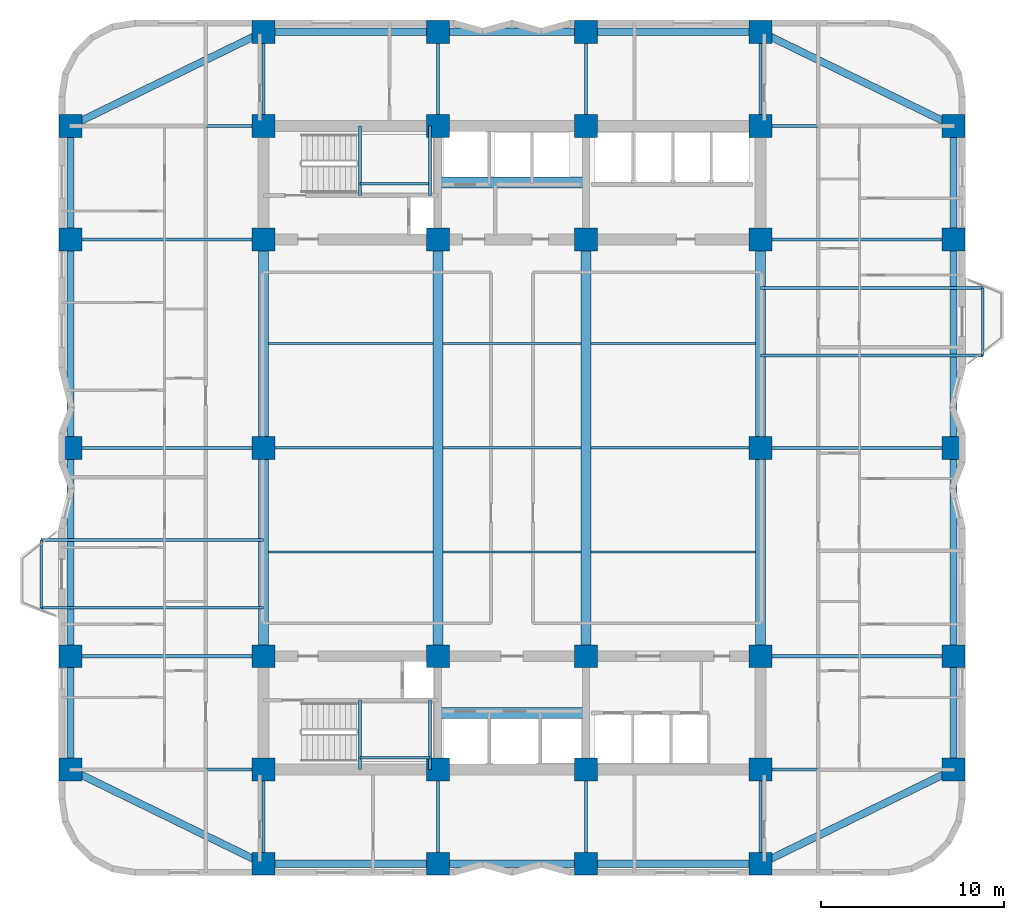
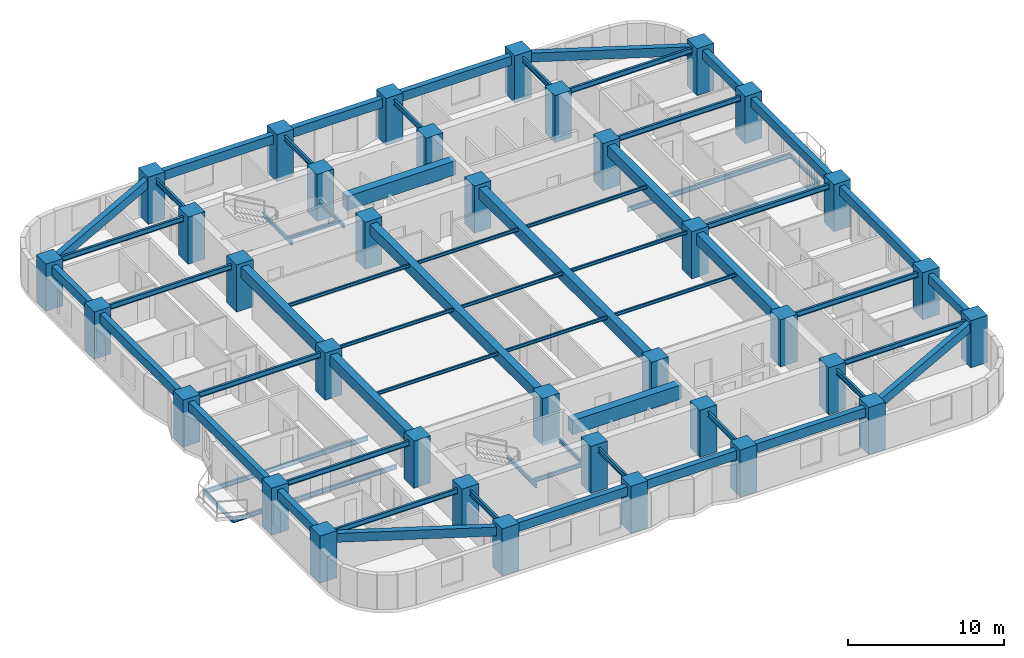
# One storey, part 1 of 9: 65 beams, 36 columns.
"""IFC4 building model written with IfcOpenShell, lengths in metres."""

from ifc_helpers import new_model, si_unit, direction, frame, origin, origin_2d, place, context, subcontext, project, spatial, rectangle, i_section, extrude, material, material_profile, profile_set, type_object, element, save


model = new_model("IFC4")

# Units and contexts
model_context = context("Model", 3, precision=1e-05, world=origin(), true_north=direction((0.0, 1.0)))
body_context = subcontext(model_context, "Body", "Model", "MODEL_VIEW")
ifc_project = project(units=[si_unit("LENGTHUNIT", "METRE"), si_unit("AREAUNIT", "SQUARE_METRE"), si_unit("VOLUMEUNIT", "CUBIC_METRE"), si_unit("PLANEANGLEUNIT", "RADIAN"), si_unit("MASSUNIT", "GRAM", prefix="KILO")], contexts=[model_context])

# Site, building, storey
site_placement = place(None, origin())
site = spatial("IfcSite", under=ifc_project, at=site_placement, CompositionType="ELEMENT")
building_placement = place(site_placement, origin())
building = spatial("IfcBuilding", under=site, at=building_placement, Name="Svetorya Sky Lyceum", CompositionType="ELEMENT")
storey_placement = place(building_placement, frame((0.0, 0.0, 28.800048828125)))
storey = spatial("IfcBuildingStorey", under=building, at=storey_placement, Name="L06", CompositionType="ELEMENT", Elevation=28.800048828125)

# Columns
ifc_material_1 = material(Name="Concrete C60/75", Category="concrete")
ifc_material_profile_1 = material_profile(ifc_material_1, rectangle(XDim=1.25, YDim=1.25, at=origin_2d()), Name="RC COL 1250x1250")
ifc_profile_set_1 = profile_set([ifc_material_profile_1], Name="Concrete C60/75")
column_type = type_object("IfcColumnType", Name="COL-RC-1250", PredefinedType="COLUMN", material=ifc_profile_set_1)
for number, where, z_axis, x_axis, name in (
    (1, (25.60009765625, 10.60009765625, 0.0), (0.0, 0.0, 1.0), (1.0, 0.0, 0.0), "L06 Core Column CS-11"),
    (2, (25.60009765625, 16.800048828125, 0.0), (0.0, 0.0, 1.0), (1.0, 0.0, 0.0), "L06 Core Column CS-12"),
    (3, (35.14990234375, 10.60009765625, 0.0), (0.0, 0.0, 1.0), (1.0, 0.0, 0.0), "L06 Core Column CS-21"),
    (4, (35.14990234375, 16.800048828125, 0.0), (0.0, 0.0, 1.0), (1.0, 0.0, 0.0), "L06 Core Column CS-22"),
    (5, (43.25, 10.60009765625, 0.0), (0.0, 0.0, 1.0), (1.0, 0.0, 0.0), "L06 Core Column CS-31"),
    (6, (43.25, 16.800048828125, 0.0), (0.0, 0.0, 1.0), (1.0, 0.0, 0.0), "L06 Core Column CS-32"),
    (7, (52.800048828125, 10.60009765625, 0.0), (0.0, 0.0, 1.0), (1.0, 0.0, 0.0), "L06 Core Column CS-41"),
    (8, (52.800048828125, 16.800048828125, 0.0), (0.0, 0.0, 1.0), (1.0, 0.0, 0.0), "L06 Core Column CS-42"),
    (9, (25.60009765625, 39.60009765625, 0.0), (0.0, 0.0, 1.0), (1.0, 0.0, 0.0), "L06 Core Column CN-11"),
    (10, (25.60009765625, 45.800048828125, 0.0), (0.0, 0.0, 1.0), (1.0, 0.0, 0.0), "L06 Core Column CN-12"),
    (11, (35.14990234375, 39.60009765625, 0.0), (0.0, 0.0, 1.0), (1.0, 0.0, 0.0), "L06 Core Column CN-21"),
    (12, (35.14990234375, 45.800048828125, 0.0), (0.0, 0.0, 1.0), (1.0, 0.0, 0.0), "L06 Core Column CN-22"),
    (13, (43.25, 39.60009765625, 0.0), (0.0, 0.0, 1.0), (1.0, 0.0, 0.0), "L06 Core Column CN-31"),
    (14, (43.25, 45.800048828125, 0.0), (0.0, 0.0, 1.0), (1.0, 0.0, 0.0), "L06 Core Column CN-32"),
    (15, (52.800048828125, 39.60009765625, 0.0), (0.0, 0.0, 1.0), (1.0, 0.0, 0.0), "L06 Core Column CN-41"),
    (16, (52.800048828125, 45.800048828125, 0.0), (0.0, 0.0, 1.0), (1.0, 0.0, 0.0), "L06 Core Column CN-42"),
    (17, (25.60009765625, 28.199951171875, 0.0), (0.0, 0.0, 1.0), (1.0, 0.0, 0.0), "L06 Core Column CM-W"),
    (18, (52.800048828125, 28.199951171875, 0.0), (0.0, 0.0, 1.0), (1.0, 0.0, 0.0), "L06 Core Column CM-E"),
    (19, (25.60009765625, 5.449951171875, 0.0), (0.0, 0.0, 1.0), (1.0, 0.0, 0.0), "L06 Perimeter Column S1"),
    (20, (25.60009765625, 50.949951171875, 0.0), (0.0, 0.0, 1.0), (1.0, 0.0, 0.0), "L06 Perimeter Column N1"),
    (21, (35.14990234375, 5.449951171875, 0.0), (0.0, 0.0, 1.0), (1.0, 0.0, 0.0), "L06 Perimeter Column S2"),
    (22, (35.14990234375, 50.949951171875, 0.0), (0.0, 0.0, 1.0), (1.0, 0.0, 0.0), "L06 Perimeter Column N2"),
    (23, (43.25, 5.449951171875, 0.0), (0.0, 0.0, 1.0), (1.0, 0.0, 0.0), "L06 Perimeter Column S3"),
    (24, (43.25, 50.949951171875, 0.0), (0.0, 0.0, 1.0), (1.0, 0.0, 0.0), "L06 Perimeter Column N3"),
    (25, (52.800048828125, 5.449951171875, 0.0), (0.0, 0.0, 1.0), (1.0, 0.0, 0.0), "L06 Perimeter Column S4"),
    (26, (52.800048828125, 50.949951171875, 0.0), (0.0, 0.0, 1.0), (1.0, 0.0, 0.0), "L06 Perimeter Column N4"),
    (27, (15.050048828125, 10.60009765625, 0.0), (0.0, 0.0, 1.0), (1.0, 0.0, 0.0), "L06 Perimeter Column W1"),
    (28, (63.35009765625, 10.60009765625, 0.0), (0.0, 0.0, 1.0), (1.0, 0.0, 0.0), "L06 Perimeter Column E1"),
    (29, (15.050048828125, 16.800048828125, 0.0), (0.0, 0.0, 1.0), (1.0, 0.0, 0.0), "L06 Perimeter Column W2"),
    (30, (63.35009765625, 16.800048828125, 0.0), (0.0, 0.0, 1.0), (1.0, 0.0, 0.0), "L06 Perimeter Column E2"),
    (31, (15.050048828125, 28.199951171875, 0.0), (0.0, 0.0, 1.0), (1.0, 0.0, 0.0), "L06 Perimeter Column W3"),
    (32, (63.35009765625, 28.199951171875, 0.0), (0.0, 0.0, 1.0), (1.0, 0.0, 0.0), "L06 Perimeter Column E3"),
    (33, (15.050048828125, 39.60009765625, 0.0), (0.0, 0.0, 1.0), (1.0, 0.0, 0.0), "L06 Perimeter Column W4"),
    (34, (63.35009765625, 39.60009765625, 0.0), (0.0, 0.0, 1.0), (1.0, 0.0, 0.0), "L06 Perimeter Column E4"),
    (35, (15.050048828125, 45.800048828125, 0.0), (0.0, 0.0, 1.0), (1.0, 0.0, 0.0), "L06 Perimeter Column W5"),
    (36, (63.35009765625, 45.800048828125, 0.0), (0.0, 0.0, 1.0), (1.0, 0.0, 0.0), "L06 Perimeter Column E5"),
):
    element("IfcColumn", number, at=place(storey_placement, frame(where, z_axis=z_axis, x_axis=x_axis)), inside=storey, type_object=column_type, Name=name, PredefinedType="COLUMN", context=body_context, shape_type="SweptSolid", body=[
        extrude(rectangle(XDim=1.25, YDim=1.25, at=origin_2d()), origin(), (0.0, 0.0, 1.0), 3.699951171875),
    ])

# Beams
ifc_material_profile_2 = material_profile(ifc_material_1, rectangle(XDim=0.60009765625, YDim=1.10009765625, at=origin_2d()), Name="RC COUPLING 600x1100")
ifc_profile_set_2 = profile_set([ifc_material_profile_2], Name="Concrete C60/75")
beam_type_1 = type_object("IfcBeamType", Name="BM-CPL-1100", PredefinedType="LINTEL", material=ifc_profile_set_2)
for number, where, z_axis, x_axis, name in (
    (37, (35.14990234375, 13.699951171875, 2.869873046875), (1.0, 0.0, 0.0), (0.0, 1.0, 0.0), "L06 SC Core Coupling Beam"),
    (38, (35.14990234375, 42.699951171875, 2.869873046875), (1.0, 0.0, 0.0), (0.0, 1.0, 0.0), "L06 NC Core Coupling Beam"),
):
    element("IfcBeam", number, at=place(storey_placement, frame(where, z_axis=z_axis, x_axis=x_axis)), inside=storey, type_object=beam_type_1, Name=name, PredefinedType="LINTEL", context=body_context, shape_type="SweptSolid", body=[
        extrude(rectangle(XDim=0.60009765625, YDim=1.10009765625, at=origin_2d()), origin(), (0.0, 0.0, 1.0), 8.10009765625),
    ])
ifc_material_2 = material(Name="Concrete C50/60", Category="concrete")
ifc_material_profile_3 = material_profile(ifc_material_2, rectangle(XDim=0.550048828125, YDim=0.85009765625, at=origin_2d()), Name="RC BEAM 550x850")
ifc_profile_set_3 = profile_set([ifc_material_profile_3], Name="Concrete C50/60")
beam_type_2 = type_object("IfcBeamType", Name="BM-RC-850", PredefinedType="BEAM", material=ifc_profile_set_3)
beam_1_placement = place(storey_placement, frame((25.60009765625, 16.800048828125, 2.994873046875), z_axis=(0.0, 1.0, 0.0), x_axis=(-1.0, 0.0, 0.0)))
element("IfcBeam", 39, at=beam_1_placement, inside=storey, type_object=beam_type_2, Name="L06 Central Bay Primary Girder CG-1A", PredefinedType="BEAM", context=body_context, shape_type="SweptSolid", body=[
    extrude(rectangle(XDim=0.550048828125, YDim=0.85009765625, at=origin_2d()), origin(), (0.0, 0.0, 1.0), 11.39990234375),
])
beam_2_placement = place(storey_placement, frame((25.60009765625, 28.199951171875, 2.994873046875), z_axis=(0.0, 1.0, 0.0), x_axis=(-1.0, 0.0, 0.0)))
element("IfcBeam", 40, at=beam_2_placement, inside=storey, type_object=beam_type_2, Name="L06 Central Bay Primary Girder CG-1B", PredefinedType="BEAM", context=body_context, shape_type="SweptSolid", body=[
    extrude(rectangle(XDim=0.550048828125, YDim=0.85009765625, at=origin_2d()), origin(), (0.0, 0.0, 1.0), 11.400146484375),
])
for number, where, z_axis, x_axis, name in (
    (41, (35.14990234375, 16.800048828125, 2.994873046875), (0.0, 1.0, 0.0), (-1.0, 0.0, 0.0), "L06 Central Bay Primary Girder CG-2"),
    (42, (43.25, 16.800048828125, 2.994873046875), (0.0, 1.0, 0.0), (-1.0, 0.0, 0.0), "L06 Central Bay Primary Girder CG-3"),
):
    element("IfcBeam", number, at=place(storey_placement, frame(where, z_axis=z_axis, x_axis=x_axis)), inside=storey, type_object=beam_type_2, Name=name, PredefinedType="BEAM", context=body_context, shape_type="SweptSolid", body=[
        extrude(rectangle(XDim=0.550048828125, YDim=0.85009765625, at=origin_2d()), origin(), (0.0, 0.0, 1.0), 22.800048828125),
    ])
beam_3_placement = place(storey_placement, frame((52.800048828125, 16.800048828125, 2.994873046875), z_axis=(0.0, 1.0, 0.0), x_axis=(-1.0, 0.0, 0.0)))
element("IfcBeam", 43, at=beam_3_placement, inside=storey, type_object=beam_type_2, Name="L06 Central Bay Primary Girder CG-4A", PredefinedType="BEAM", context=body_context, shape_type="SweptSolid", body=[
    extrude(rectangle(XDim=0.550048828125, YDim=0.85009765625, at=origin_2d()), origin(), (0.0, 0.0, 1.0), 11.39990234375),
])
beam_4_placement = place(storey_placement, frame((52.800048828125, 28.199951171875, 2.994873046875), z_axis=(0.0, 1.0, 0.0), x_axis=(-1.0, 0.0, 0.0)))
element("IfcBeam", 44, at=beam_4_placement, inside=storey, type_object=beam_type_2, Name="L06 Central Bay Primary Girder CG-4B", PredefinedType="BEAM", context=body_context, shape_type="SweptSolid", body=[
    extrude(rectangle(XDim=0.550048828125, YDim=0.85009765625, at=origin_2d()), origin(), (0.0, 0.0, 1.0), 11.400146484375),
])
ifc_material_profile_4 = material_profile(ifc_material_2, rectangle(XDim=0.39990234375, YDim=0.699951171875, at=origin_2d()), Name="RC SPANDREL 400x700")
ifc_profile_set_4 = profile_set([ifc_material_profile_4], Name="Concrete C50/60")
beam_type_3 = type_object("IfcBeamType", Name="BM-SPN-700", PredefinedType="SPANDREL", material=ifc_profile_set_4)
beam_5_placement = place(storey_placement, frame((25.60009765625, 5.449951171875, 3.070068359375), z_axis=(1.0, 0.0, 0.0), x_axis=(0.0, 1.0, 0.0)))
element("IfcBeam", 45, at=beam_5_placement, inside=storey, type_object=beam_type_3, Name="L06 South Spandrel 1", PredefinedType="SPANDREL", context=body_context, shape_type="SweptSolid", body=[
    extrude(rectangle(XDim=0.39990234375, YDim=0.699951171875, at=origin_2d()), origin(), (0.0, 0.0, 1.0), 9.5498046875),
])
beam_6_placement = place(storey_placement, frame((35.14990234375, 5.449951171875, 3.070068359375), z_axis=(1.0, 0.0, 0.0), x_axis=(0.0, 1.0, 0.0)))
element("IfcBeam", 46, at=beam_6_placement, inside=storey, type_object=beam_type_3, Name="L06 South Spandrel 2", PredefinedType="SPANDREL", context=body_context, shape_type="SweptSolid", body=[
    extrude(rectangle(XDim=0.39990234375, YDim=0.699951171875, at=origin_2d()), origin(), (0.0, 0.0, 1.0), 8.10009765625),
])
beam_7_placement = place(storey_placement, frame((43.25, 5.449951171875, 3.070068359375), z_axis=(1.0, 0.0, 0.0), x_axis=(0.0, 1.0, 0.0)))
element("IfcBeam", 47, at=beam_7_placement, inside=storey, type_object=beam_type_3, Name="L06 South Spandrel 3", PredefinedType="SPANDREL", context=body_context, shape_type="SweptSolid", body=[
    extrude(rectangle(XDim=0.39990234375, YDim=0.699951171875, at=origin_2d()), origin(), (0.0, 0.0, 1.0), 9.550048828125),
])
beam_8_placement = place(storey_placement, frame((25.60009765625, 50.949951171875, 3.070068359375), z_axis=(1.0, 0.0, 0.0), x_axis=(0.0, 1.0, 0.0)))
element("IfcBeam", 48, at=beam_8_placement, inside=storey, type_object=beam_type_3, Name="L06 North Spandrel 1", PredefinedType="SPANDREL", context=body_context, shape_type="SweptSolid", body=[
    extrude(rectangle(XDim=0.39990234375, YDim=0.699951171875, at=origin_2d()), origin(), (0.0, 0.0, 1.0), 9.5498046875),
])
beam_9_placement = place(storey_placement, frame((35.14990234375, 50.949951171875, 3.070068359375), z_axis=(1.0, 0.0, 0.0), x_axis=(0.0, 1.0, 0.0)))
element("IfcBeam", 49, at=beam_9_placement, inside=storey, type_object=beam_type_3, Name="L06 North Spandrel 2", PredefinedType="SPANDREL", context=body_context, shape_type="SweptSolid", body=[
    extrude(rectangle(XDim=0.39990234375, YDim=0.699951171875, at=origin_2d()), origin(), (0.0, 0.0, 1.0), 8.10009765625),
])
beam_10_placement = place(storey_placement, frame((43.25, 50.949951171875, 3.070068359375), z_axis=(1.0, 0.0, 0.0), x_axis=(0.0, 1.0, 0.0)))
element("IfcBeam", 50, at=beam_10_placement, inside=storey, type_object=beam_type_3, Name="L06 North Spandrel 3", PredefinedType="SPANDREL", context=body_context, shape_type="SweptSolid", body=[
    extrude(rectangle(XDim=0.39990234375, YDim=0.699951171875, at=origin_2d()), origin(), (0.0, 0.0, 1.0), 9.550048828125),
])
for number, where, z_axis, x_axis, name in (
    (51, (25.60009765625, 5.449951171875, 3.070068359375), (-0.898641495694, 0.438683783854, 0.0), (-0.438683783854, -0.898641495694, 0.0), "L06 Corner Spandrel 1"),
    (52, (52.800048828125, 5.449951171875, 3.070068359375), (0.898641495694, 0.438683783854, 0.0), (-0.438683783854, 0.898641495694, 0.0), "L06 Corner Spandrel 2"),
    (53, (63.35009765625, 45.800048828125, 3.070068359375), (-0.898649693653, 0.438666989978, 0.0), (-0.438666989978, -0.898649693653, 0.0), "L06 Corner Spandrel 3"),
    (54, (15.050048828125, 45.800048828125, 3.070068359375), (0.898649693653, 0.438666989978, 0.0), (-0.438666989978, 0.898649693653, 0.0), "L06 Corner Spandrel 4"),
):
    element("IfcBeam", number, at=place(storey_placement, frame(where, z_axis=z_axis, x_axis=x_axis)), inside=storey, type_object=beam_type_3, Name=name, PredefinedType="SPANDREL", context=body_context, shape_type="SweptSolid", body=[
        extrude(rectangle(XDim=0.39990234375, YDim=0.699951171875, at=origin_2d()), origin(), (0.0, 0.0, 1.0), 11.739990234375),
    ])
beam_11_placement = place(storey_placement, frame((15.050048828125, 10.60009765625, 3.070068359375), z_axis=(0.0, 1.0, 0.0), x_axis=(-1.0, 0.0, 0.0)))
element("IfcBeam", 55, at=beam_11_placement, inside=storey, type_object=beam_type_3, Name="L06 West Spandrel 1", PredefinedType="SPANDREL", context=body_context, shape_type="SweptSolid", body=[
    extrude(rectangle(XDim=0.39990234375, YDim=0.699951171875, at=origin_2d()), origin(), (0.0, 0.0, 1.0), 6.199951171875),
])
beam_12_placement = place(storey_placement, frame((15.050048828125, 16.800048828125, 3.070068359375), z_axis=(0.0, 1.0, 0.0), x_axis=(-1.0, 0.0, 0.0)))
element("IfcBeam", 56, at=beam_12_placement, inside=storey, type_object=beam_type_3, Name="L06 West Spandrel 2", PredefinedType="SPANDREL", context=body_context, shape_type="SweptSolid", body=[
    extrude(rectangle(XDim=0.39990234375, YDim=0.699951171875, at=origin_2d()), origin(), (0.0, 0.0, 1.0), 11.39990234375),
])
beam_13_placement = place(storey_placement, frame((15.050048828125, 28.199951171875, 3.070068359375), z_axis=(0.0, 1.0, 0.0), x_axis=(-1.0, 0.0, 0.0)))
element("IfcBeam", 57, at=beam_13_placement, inside=storey, type_object=beam_type_3, Name="L06 West Spandrel 3", PredefinedType="SPANDREL", context=body_context, shape_type="SweptSolid", body=[
    extrude(rectangle(XDim=0.39990234375, YDim=0.699951171875, at=origin_2d()), origin(), (0.0, 0.0, 1.0), 11.400146484375),
])
for number, where, z_axis, x_axis, name in (
    (58, (15.050048828125, 39.60009765625, 3.070068359375), (0.0, 1.0, 0.0), (-1.0, 0.0, 0.0), "L06 West Spandrel 4"),
    (59, (63.35009765625, 10.60009765625, 3.070068359375), (0.0, 1.0, 0.0), (-1.0, 0.0, 0.0), "L06 East Spandrel 1"),
):
    element("IfcBeam", number, at=place(storey_placement, frame(where, z_axis=z_axis, x_axis=x_axis)), inside=storey, type_object=beam_type_3, Name=name, PredefinedType="SPANDREL", context=body_context, shape_type="SweptSolid", body=[
        extrude(rectangle(XDim=0.39990234375, YDim=0.699951171875, at=origin_2d()), origin(), (0.0, 0.0, 1.0), 6.199951171875),
    ])
beam_14_placement = place(storey_placement, frame((63.35009765625, 16.800048828125, 3.070068359375), z_axis=(0.0, 1.0, 0.0), x_axis=(-1.0, 0.0, 0.0)))
element("IfcBeam", 60, at=beam_14_placement, inside=storey, type_object=beam_type_3, Name="L06 East Spandrel 2", PredefinedType="SPANDREL", context=body_context, shape_type="SweptSolid", body=[
    extrude(rectangle(XDim=0.39990234375, YDim=0.699951171875, at=origin_2d()), origin(), (0.0, 0.0, 1.0), 11.39990234375),
])
beam_15_placement = place(storey_placement, frame((63.35009765625, 28.199951171875, 3.070068359375), z_axis=(0.0, 1.0, 0.0), x_axis=(-1.0, 0.0, 0.0)))
element("IfcBeam", 61, at=beam_15_placement, inside=storey, type_object=beam_type_3, Name="L06 East Spandrel 3", PredefinedType="SPANDREL", context=body_context, shape_type="SweptSolid", body=[
    extrude(rectangle(XDim=0.39990234375, YDim=0.699951171875, at=origin_2d()), origin(), (0.0, 0.0, 1.0), 11.400146484375),
])
beam_16_placement = place(storey_placement, frame((63.35009765625, 39.60009765625, 3.070068359375), z_axis=(0.0, 1.0, 0.0), x_axis=(-1.0, 0.0, 0.0)))
element("IfcBeam", 62, at=beam_16_placement, inside=storey, type_object=beam_type_3, Name="L06 East Spandrel 4", PredefinedType="SPANDREL", context=body_context, shape_type="SweptSolid", body=[
    extrude(rectangle(XDim=0.39990234375, YDim=0.699951171875, at=origin_2d()), origin(), (0.0, 0.0, 1.0), 6.199951171875),
])
ifc_material_3 = material(Name="Steel S355", Category="steel")
ifc_material_profile_5 = material_profile(ifc_material_3, i_section(OverallWidth=0.1240234375, OverallDepth=0.248046875, WebThickness=0.006103515625, FlangeThickness=0.009521484375, at=origin_2d()), Name="GOST 25B2")
ifc_profile_set_5 = profile_set([ifc_material_profile_5], Name="Steel S355")
beam_type_4 = type_object("IfcBeamType", Name="BM-STL-25B2", PredefinedType="JOIST", material=ifc_profile_set_5)
beam_17_placement = place(storey_placement, frame((25.875, 22.5, 3.2958984375), z_axis=(1.0, 0.0, 0.0), x_axis=(0.0, 1.0, 0.0)))
element("IfcBeam", 63, at=beam_17_placement, inside=storey, type_object=beam_type_4, Name="L06 Central Floor Joist CJ-1.1", PredefinedType="JOIST", context=body_context, shape_type="SweptSolid", body=[
    extrude(i_section(OverallWidth=0.1240234375, OverallDepth=0.248046875, WebThickness=0.006103515625, FlangeThickness=0.009521484375, at=origin_2d()), origin(), (0.0, 0.0, 1.0), 9.0),
])
beam_18_placement = place(storey_placement, frame((35.425048828125, 22.5, 3.2958984375), z_axis=(1.0, 0.0, 0.0), x_axis=(0.0, 1.0, 0.0)))
element("IfcBeam", 64, at=beam_18_placement, inside=storey, type_object=beam_type_4, Name="L06 Central Floor Joist CJ-1.2", PredefinedType="JOIST", context=body_context, shape_type="SweptSolid", body=[
    extrude(i_section(OverallWidth=0.1240234375, OverallDepth=0.248046875, WebThickness=0.006103515625, FlangeThickness=0.009521484375, at=origin_2d()), origin(), (0.0, 0.0, 1.0), 7.550048828125),
])
for number, where, z_axis, x_axis, name in (
    (65, (43.52490234375, 22.5, 3.2958984375), (1.0, 0.0, 0.0), (0.0, 1.0, 0.0), "L06 Central Floor Joist CJ-1.3"),
    (66, (25.875, 28.199951171875, 3.2958984375), (1.0, 0.0, 0.0), (0.0, 1.0, 0.0), "L06 Central Floor Joist CJ-2.1"),
):
    element("IfcBeam", number, at=place(storey_placement, frame(where, z_axis=z_axis, x_axis=x_axis)), inside=storey, type_object=beam_type_4, Name=name, PredefinedType="JOIST", context=body_context, shape_type="SweptSolid", body=[
        extrude(i_section(OverallWidth=0.1240234375, OverallDepth=0.248046875, WebThickness=0.006103515625, FlangeThickness=0.009521484375, at=origin_2d()), origin(), (0.0, 0.0, 1.0), 9.0),
    ])
beam_19_placement = place(storey_placement, frame((35.425048828125, 28.199951171875, 3.2958984375), z_axis=(1.0, 0.0, 0.0), x_axis=(0.0, 1.0, 0.0)))
element("IfcBeam", 67, at=beam_19_placement, inside=storey, type_object=beam_type_4, Name="L06 Central Floor Joist CJ-2.2", PredefinedType="JOIST", context=body_context, shape_type="SweptSolid", body=[
    extrude(i_section(OverallWidth=0.1240234375, OverallDepth=0.248046875, WebThickness=0.006103515625, FlangeThickness=0.009521484375, at=origin_2d()), origin(), (0.0, 0.0, 1.0), 7.550048828125),
])
for number, where, z_axis, x_axis, name in (
    (68, (43.52490234375, 28.199951171875, 3.2958984375), (1.0, 0.0, 0.0), (0.0, 1.0, 0.0), "L06 Central Floor Joist CJ-2.3"),
    (69, (25.875, 33.89990234375, 3.2958984375), (1.0, 0.0, 0.0), (0.0, 1.0, 0.0), "L06 Central Floor Joist CJ-3.1"),
):
    element("IfcBeam", number, at=place(storey_placement, frame(where, z_axis=z_axis, x_axis=x_axis)), inside=storey, type_object=beam_type_4, Name=name, PredefinedType="JOIST", context=body_context, shape_type="SweptSolid", body=[
        extrude(i_section(OverallWidth=0.1240234375, OverallDepth=0.248046875, WebThickness=0.006103515625, FlangeThickness=0.009521484375, at=origin_2d()), origin(), (0.0, 0.0, 1.0), 9.0),
    ])
beam_20_placement = place(storey_placement, frame((35.425048828125, 33.89990234375, 3.2958984375), z_axis=(1.0, 0.0, 0.0), x_axis=(0.0, 1.0, 0.0)))
element("IfcBeam", 70, at=beam_20_placement, inside=storey, type_object=beam_type_4, Name="L06 Central Floor Joist CJ-3.2", PredefinedType="JOIST", context=body_context, shape_type="SweptSolid", body=[
    extrude(i_section(OverallWidth=0.1240234375, OverallDepth=0.248046875, WebThickness=0.006103515625, FlangeThickness=0.009521484375, at=origin_2d()), origin(), (0.0, 0.0, 1.0), 7.550048828125),
])
beam_21_placement = place(storey_placement, frame((43.52490234375, 33.89990234375, 3.2958984375), z_axis=(1.0, 0.0, 0.0), x_axis=(0.0, 1.0, 0.0)))
element("IfcBeam", 71, at=beam_21_placement, inside=storey, type_object=beam_type_4, Name="L06 Central Floor Joist CJ-3.3", PredefinedType="JOIST", context=body_context, shape_type="SweptSolid", body=[
    extrude(i_section(OverallWidth=0.1240234375, OverallDepth=0.248046875, WebThickness=0.006103515625, FlangeThickness=0.009521484375, at=origin_2d()), origin(), (0.0, 0.0, 1.0), 9.0),
])
ifc_material_profile_6 = material_profile(ifc_material_3, i_section(OverallWidth=0.14990234375, OverallDepth=0.299072265625, WebThickness=0.006591796875, FlangeThickness=0.010498046875, at=origin_2d()), Name="GOST 30B2")
ifc_profile_set_6 = profile_set([ifc_material_profile_6], Name="Steel S355")
beam_type_5 = type_object("IfcBeamType", Name="BM-STL-30B2", PredefinedType="JOIST", material=ifc_profile_set_6)
for number, where, z_axis, x_axis, name in (
    (72, (13.449951171875, 19.449951171875, -0.45458984375), (0.0, 1.0, 0.0), (-1.0, 0.0, 0.0), "L06 Balcony Edge Tie BAL-W1"),
    (73, (64.949951171875, 33.25, -0.45458984375), (0.0, 1.0, 0.0), (-1.0, 0.0, 0.0), "L06 Balcony Edge Tie BAL-E1"),
):
    element("IfcBeam", number, at=place(storey_placement, frame(where, z_axis=z_axis, x_axis=x_axis)), inside=storey, type_object=beam_type_5, Name=name, PredefinedType="JOIST", context=body_context, shape_type="SweptSolid", body=[
        extrude(i_section(OverallWidth=0.14990234375, OverallDepth=0.299072265625, WebThickness=0.006591796875, FlangeThickness=0.010498046875, at=origin_2d()), origin(), (0.0, 0.0, 1.0), 3.699951171875),
    ])
for number, where, z_axis, x_axis, name in (
    (74, (30.8798828125, 10.60009765625, 1.50048828125), (0.0, 1.0, 0.0), (-1.0, 0.0, 0.0), "L06 Stair ST-S Half-Landing Support Beam 8.1"),
    (75, (34.719970703125, 10.60009765625, 1.50048828125), (0.0, 1.0, 0.0), (-1.0, 0.0, 0.0), "L06 Stair ST-S Half-Landing Support Beam 8.2"),
):
    element("IfcBeam", number, at=place(storey_placement, frame(where, z_axis=z_axis, x_axis=x_axis)), inside=storey, type_object=beam_type_5, Name=name, PredefinedType="JOIST", context=body_context, shape_type="SweptSolid", body=[
        extrude(i_section(OverallWidth=0.14990234375, OverallDepth=0.299072265625, WebThickness=0.006591796875, FlangeThickness=0.010498046875, at=origin_2d()), origin(), (0.0, 0.0, 1.0), 3.7998046875),
    ])
beam_22_placement = place(storey_placement, frame((30.8798828125, 11.25, 1.50048828125), z_axis=(1.0, 0.0, 0.0), x_axis=(0.0, 1.0, 0.0)))
element("IfcBeam", 76, at=beam_22_placement, inside=storey, type_object=beam_type_5, Name="L06 Stair ST-S Half-Landing Cross Tie 8", PredefinedType="JOIST", context=body_context, shape_type="SweptSolid", body=[
    extrude(i_section(OverallWidth=0.14990234375, OverallDepth=0.299072265625, WebThickness=0.006591796875, FlangeThickness=0.010498046875, at=origin_2d()), origin(), (0.0, 0.0, 1.0), 3.840087890625),
])
for number, where, z_axis, x_axis, name in (
    (77, (30.8798828125, 42.0, 1.50048828125), (0.0, 1.0, 0.0), (-1.0, 0.0, 0.0), "L06 Stair ST-N Half-Landing Support Beam 8.1"),
    (78, (34.719970703125, 42.0, 1.50048828125), (0.0, 1.0, 0.0), (-1.0, 0.0, 0.0), "L06 Stair ST-N Half-Landing Support Beam 8.2"),
):
    element("IfcBeam", number, at=place(storey_placement, frame(where, z_axis=z_axis, x_axis=x_axis)), inside=storey, type_object=beam_type_5, Name=name, PredefinedType="JOIST", context=body_context, shape_type="SweptSolid", body=[
        extrude(i_section(OverallWidth=0.14990234375, OverallDepth=0.299072265625, WebThickness=0.006591796875, FlangeThickness=0.010498046875, at=origin_2d()), origin(), (0.0, 0.0, 1.0), 3.800048828125),
    ])
beam_23_placement = place(storey_placement, frame((30.8798828125, 42.64990234375, 1.50048828125), z_axis=(1.0, 0.0, 0.0), x_axis=(0.0, 1.0, 0.0)))
element("IfcBeam", 79, at=beam_23_placement, inside=storey, type_object=beam_type_5, Name="L06 Stair ST-N Half-Landing Cross Tie 8", PredefinedType="JOIST", context=body_context, shape_type="SweptSolid", body=[
    extrude(i_section(OverallWidth=0.14990234375, OverallDepth=0.299072265625, WebThickness=0.006591796875, FlangeThickness=0.010498046875, at=origin_2d()), origin(), (0.0, 0.0, 1.0), 3.840087890625),
])
ifc_material_profile_7 = material_profile(ifc_material_3, i_section(OverallWidth=0.155029296875, OverallDepth=0.34912109375, WebThickness=0.007080078125, FlangeThickness=0.011474609375, at=origin_2d()), Name="GOST 35B2")
ifc_profile_set_7 = profile_set([ifc_material_profile_7], Name="Steel S355")
beam_type_6 = type_object("IfcBeamType", Name="BM-STL-35B2", PredefinedType="JOIST", material=ifc_profile_set_7)
for number, where, z_axis, x_axis, name in (
    (80, (25.60009765625, 19.449951171875, -0.45458984375), (-1.0, 0.0, 0.0), (0.0, -1.0, 0.0), "L06 Balcony Cantilever Beam BAL-W1-1"),
    (81, (25.60009765625, 23.14990234375, -0.45458984375), (-1.0, 0.0, 0.0), (0.0, -1.0, 0.0), "L06 Balcony Cantilever Beam BAL-W1-2"),
):
    element("IfcBeam", number, at=place(storey_placement, frame(where, z_axis=z_axis, x_axis=x_axis)), inside=storey, type_object=beam_type_6, Name=name, PredefinedType="JOIST", context=body_context, shape_type="SweptSolid", body=[
        extrude(i_section(OverallWidth=0.155029296875, OverallDepth=0.34912109375, WebThickness=0.007080078125, FlangeThickness=0.011474609375, at=origin_2d()), origin(), (0.0, 0.0, 1.0), 12.150146484375),
    ])
for number, where, z_axis, x_axis, name in (
    (82, (52.800048828125, 33.25, -0.45458984375), (1.0, 0.0, 0.0), (0.0, 1.0, 0.0), "L06 Balcony Cantilever Beam BAL-E1-1"),
    (83, (52.800048828125, 36.949951171875, -0.45458984375), (1.0, 0.0, 0.0), (0.0, 1.0, 0.0), "L06 Balcony Cantilever Beam BAL-E1-2"),
):
    element("IfcBeam", number, at=place(storey_placement, frame(where, z_axis=z_axis, x_axis=x_axis)), inside=storey, type_object=beam_type_6, Name=name, PredefinedType="JOIST", context=body_context, shape_type="SweptSolid", body=[
        extrude(i_section(OverallWidth=0.155029296875, OverallDepth=0.34912109375, WebThickness=0.007080078125, FlangeThickness=0.011474609375, at=origin_2d()), origin(), (0.0, 0.0, 1.0), 12.14990234375),
    ])
ifc_material_profile_8 = material_profile(ifc_material_3, i_section(OverallWidth=0.1650390625, OverallDepth=0.39990234375, WebThickness=0.008056640625, FlangeThickness=0.012939453125, at=origin_2d()), Name="GOST 40B2")
ifc_profile_set_8 = profile_set([ifc_material_profile_8], Name="Steel S355")
beam_type_7 = type_object("IfcBeamType", Name="BM-STL-40B2", PredefinedType="JOIST", material=ifc_profile_set_8)
for number, where, z_axis, x_axis, name in (
    (84, (15.050048828125, 10.60009765625, 3.219970703125), (1.0, 0.0, 0.0), (0.0, 1.0, 0.0), "L06 West Wing Floor Joist W1"),
    (85, (52.800048828125, 10.60009765625, 3.219970703125), (1.0, 0.0, 0.0), (0.0, 1.0, 0.0), "L06 East Wing Floor Joist E1"),
    (86, (15.050048828125, 16.800048828125, 3.219970703125), (1.0, 0.0, 0.0), (0.0, 1.0, 0.0), "L06 West Wing Floor Joist W2"),
    (87, (52.800048828125, 16.800048828125, 3.219970703125), (1.0, 0.0, 0.0), (0.0, 1.0, 0.0), "L06 East Wing Floor Joist E2"),
    (88, (15.050048828125, 28.199951171875, 3.219970703125), (1.0, 0.0, 0.0), (0.0, 1.0, 0.0), "L06 West Wing Floor Joist W3"),
    (89, (52.800048828125, 28.199951171875, 3.219970703125), (1.0, 0.0, 0.0), (0.0, 1.0, 0.0), "L06 East Wing Floor Joist E3"),
    (90, (15.050048828125, 39.60009765625, 3.219970703125), (1.0, 0.0, 0.0), (0.0, 1.0, 0.0), "L06 West Wing Floor Joist W4"),
    (91, (52.800048828125, 39.60009765625, 3.219970703125), (1.0, 0.0, 0.0), (0.0, 1.0, 0.0), "L06 East Wing Floor Joist E4"),
    (92, (15.050048828125, 45.800048828125, 3.219970703125), (1.0, 0.0, 0.0), (0.0, 1.0, 0.0), "L06 West Wing Floor Joist W5"),
    (93, (52.800048828125, 45.800048828125, 3.219970703125), (1.0, 0.0, 0.0), (0.0, 1.0, 0.0), "L06 East Wing Floor Joist E5"),
):
    element("IfcBeam", number, at=place(storey_placement, frame(where, z_axis=z_axis, x_axis=x_axis)), inside=storey, type_object=beam_type_7, Name=name, PredefinedType="JOIST", context=body_context, shape_type="SweptSolid", body=[
        extrude(i_section(OverallWidth=0.1650390625, OverallDepth=0.39990234375, WebThickness=0.008056640625, FlangeThickness=0.012939453125, at=origin_2d()), origin(), (0.0, 0.0, 1.0), 10.550048828125),
    ])
beam_24_placement = place(storey_placement, frame((25.60009765625, 5.449951171875, 3.219970703125), z_axis=(0.0, 1.0, 0.0), x_axis=(-1.0, 0.0, 0.0)))
element("IfcBeam", 94, at=beam_24_placement, inside=storey, type_object=beam_type_7, Name="L06 South Bay Floor Girder S1", PredefinedType="JOIST", context=body_context, shape_type="SweptSolid", body=[
    extrude(i_section(OverallWidth=0.1650390625, OverallDepth=0.39990234375, WebThickness=0.008056640625, FlangeThickness=0.012939453125, at=origin_2d()), origin(), (0.0, 0.0, 1.0), 5.150146484375),
])
beam_25_placement = place(storey_placement, frame((25.60009765625, 45.800048828125, 3.219970703125), z_axis=(0.0, 1.0, 0.0), x_axis=(-1.0, 0.0, 0.0)))
element("IfcBeam", 95, at=beam_25_placement, inside=storey, type_object=beam_type_7, Name="L06 North Bay Floor Girder N1", PredefinedType="JOIST", context=body_context, shape_type="SweptSolid", body=[
    extrude(i_section(OverallWidth=0.1650390625, OverallDepth=0.39990234375, WebThickness=0.008056640625, FlangeThickness=0.012939453125, at=origin_2d()), origin(), (0.0, 0.0, 1.0), 5.14990234375),
])
beam_26_placement = place(storey_placement, frame((35.14990234375, 5.449951171875, 3.219970703125), z_axis=(0.0, 1.0, 0.0), x_axis=(-1.0, 0.0, 0.0)))
element("IfcBeam", 96, at=beam_26_placement, inside=storey, type_object=beam_type_7, Name="L06 South Bay Floor Girder S2", PredefinedType="JOIST", context=body_context, shape_type="SweptSolid", body=[
    extrude(i_section(OverallWidth=0.1650390625, OverallDepth=0.39990234375, WebThickness=0.008056640625, FlangeThickness=0.012939453125, at=origin_2d()), origin(), (0.0, 0.0, 1.0), 5.150146484375),
])
beam_27_placement = place(storey_placement, frame((35.14990234375, 45.800048828125, 3.219970703125), z_axis=(0.0, 1.0, 0.0), x_axis=(-1.0, 0.0, 0.0)))
element("IfcBeam", 97, at=beam_27_placement, inside=storey, type_object=beam_type_7, Name="L06 North Bay Floor Girder N2", PredefinedType="JOIST", context=body_context, shape_type="SweptSolid", body=[
    extrude(i_section(OverallWidth=0.1650390625, OverallDepth=0.39990234375, WebThickness=0.008056640625, FlangeThickness=0.012939453125, at=origin_2d()), origin(), (0.0, 0.0, 1.0), 5.14990234375),
])
beam_28_placement = place(storey_placement, frame((43.25, 5.449951171875, 3.219970703125), z_axis=(0.0, 1.0, 0.0), x_axis=(-1.0, 0.0, 0.0)))
element("IfcBeam", 98, at=beam_28_placement, inside=storey, type_object=beam_type_7, Name="L06 South Bay Floor Girder S3", PredefinedType="JOIST", context=body_context, shape_type="SweptSolid", body=[
    extrude(i_section(OverallWidth=0.1650390625, OverallDepth=0.39990234375, WebThickness=0.008056640625, FlangeThickness=0.012939453125, at=origin_2d()), origin(), (0.0, 0.0, 1.0), 5.150146484375),
])
beam_29_placement = place(storey_placement, frame((43.25, 45.800048828125, 3.219970703125), z_axis=(0.0, 1.0, 0.0), x_axis=(-1.0, 0.0, 0.0)))
element("IfcBeam", 99, at=beam_29_placement, inside=storey, type_object=beam_type_7, Name="L06 North Bay Floor Girder N3", PredefinedType="JOIST", context=body_context, shape_type="SweptSolid", body=[
    extrude(i_section(OverallWidth=0.1650390625, OverallDepth=0.39990234375, WebThickness=0.008056640625, FlangeThickness=0.012939453125, at=origin_2d()), origin(), (0.0, 0.0, 1.0), 5.14990234375),
])
beam_30_placement = place(storey_placement, frame((52.800048828125, 5.449951171875, 3.219970703125), z_axis=(0.0, 1.0, 0.0), x_axis=(-1.0, 0.0, 0.0)))
element("IfcBeam", 100, at=beam_30_placement, inside=storey, type_object=beam_type_7, Name="L06 South Bay Floor Girder S4", PredefinedType="JOIST", context=body_context, shape_type="SweptSolid", body=[
    extrude(i_section(OverallWidth=0.1650390625, OverallDepth=0.39990234375, WebThickness=0.008056640625, FlangeThickness=0.012939453125, at=origin_2d()), origin(), (0.0, 0.0, 1.0), 5.150146484375),
])
beam_31_placement = place(storey_placement, frame((52.800048828125, 45.800048828125, 3.219970703125), z_axis=(0.0, 1.0, 0.0), x_axis=(-1.0, 0.0, 0.0)))
element("IfcBeam", 101, at=beam_31_placement, inside=storey, type_object=beam_type_7, Name="L06 North Bay Floor Girder N4", PredefinedType="JOIST", context=body_context, shape_type="SweptSolid", body=[
    extrude(i_section(OverallWidth=0.1650390625, OverallDepth=0.39990234375, WebThickness=0.008056640625, FlangeThickness=0.012939453125, at=origin_2d()), origin(), (0.0, 0.0, 1.0), 5.14990234375),
])

save(model, "model.ifc")
